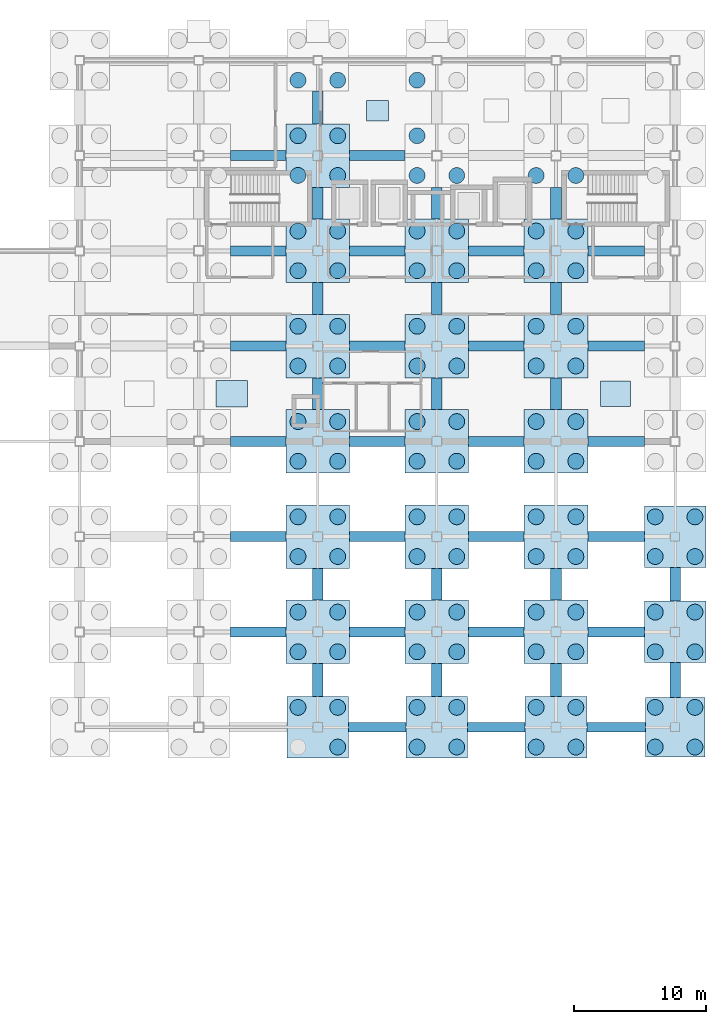
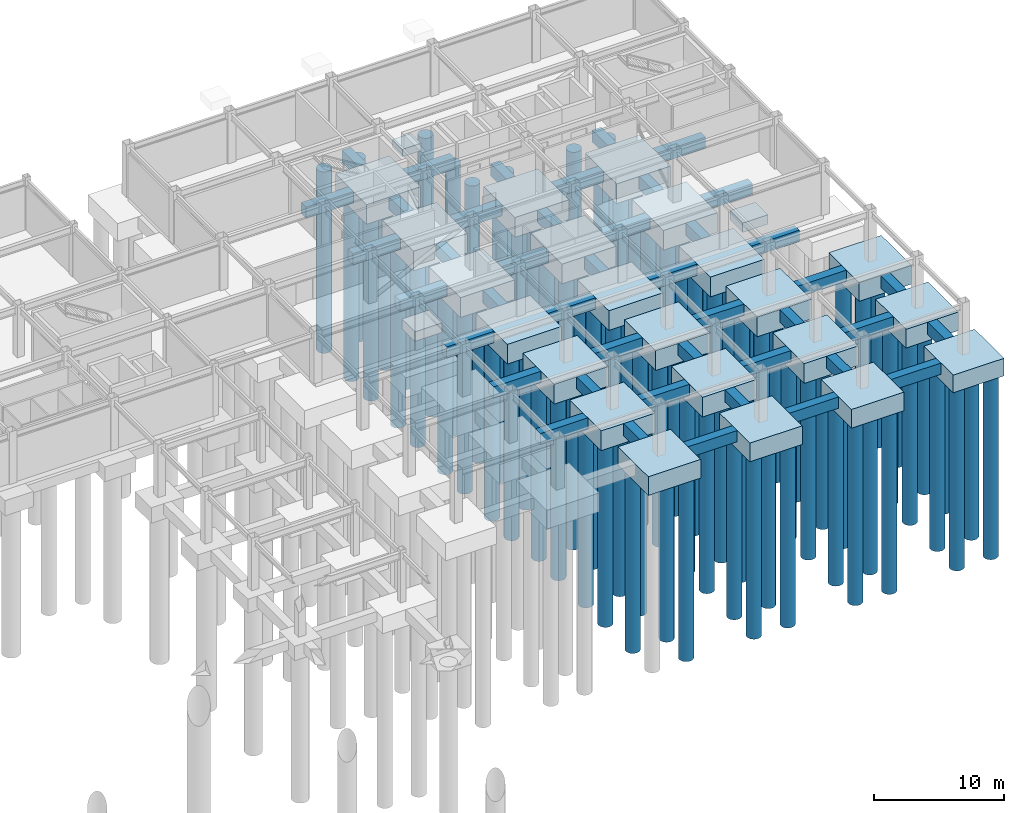
# One storey, part 9 of 28: 95 piles, 68 footings.
"""IFC4 building model written with IfcOpenShell, lengths in metres."""

from ifc_helpers import new_model, si_unit, direction, frame, origin, origin_2d, place, context, subcontext, project, spatial, rectangle, circle, extrude, material, material_profile, profile_set, type_object, element, save


model = new_model("IFC4")

# Units and contexts
model_context = context("Model", 3, precision=1e-05, world=origin(), true_north=direction((0.0, 1.0)))
body_context = subcontext(model_context, "Body", "Model", "MODEL_VIEW")
ifc_project = project(units=[si_unit("LENGTHUNIT", "METRE"), si_unit("AREAUNIT", "SQUARE_METRE"), si_unit("VOLUMEUNIT", "CUBIC_METRE"), si_unit("PLANEANGLEUNIT", "RADIAN"), si_unit("MASSUNIT", "GRAM", prefix="KILO")], contexts=[model_context])

# Site, building, storey
site_placement = place(None, origin())
site = spatial("IfcSite", under=ifc_project, at=site_placement, CompositionType="ELEMENT")
building_placement = place(site_placement, origin())
building = spatial("IfcBuilding", under=site, at=building_placement, Name="Kazanami Central Library", CompositionType="ELEMENT")
storey_placement = place(building_placement, frame((0.0, 0.0, -4.89990234375)))
storey = spatial("IfcBuildingStorey", under=building, at=storey_placement, Name="B01", CompositionType="ELEMENT", Elevation=-4.89990234375)

# Footings
ifc_material_1 = material(Name="Concrete Fc36 (36 MPa)", Category="concrete")
ifc_material_profile_1 = material_profile(ifc_material_1, rectangle(XDim=0.75, YDim=1.050048828125, at=origin_2d()), Name="RC-750x1050")
ifc_profile_set_1 = profile_set([ifc_material_profile_1], Name="Concrete Fc36 (36 MPa)")
footing_type_1 = type_object("IfcFootingType", Name="FTG-GB-05", PredefinedType="FOOTING_BEAM", material=ifc_profile_set_1)
for number, where, z_axis, x_axis, name in (
    (1, (137.324951171875, 43.199951171875, -0.525146484375), (1.0, 0.0, 0.0), (0.0, 1.0, 0.0), "Ground Tie Beam GB-05 G/16-17"),
    (2, (146.324951171875, 43.199951171875, -0.525146484375), (1.0, 0.0, 0.0), (0.0, 1.0, 0.0), "Ground Tie Beam GB-05 G/17-18"),
):
    element("IfcFooting", number, at=place(storey_placement, frame(where, z_axis=z_axis, x_axis=x_axis)), inside=storey, type_object=footing_type_1, Name=name, PredefinedType="FOOTING_BEAM", context=body_context, shape_type="SweptSolid", body=[
        extrude(rectangle(XDim=0.75, YDim=1.050048828125, at=origin_2d()), origin(), (0.0, 0.0, 1.0), 4.35009765625),
    ])
footing_1_placement = place(storey_placement, frame((155.324951171875, 43.199951171875, -0.525146484375), z_axis=(1.0, 0.0, 0.0), x_axis=(0.0, 1.0, 0.0)))
element("IfcFooting", 3, at=footing_1_placement, inside=storey, type_object=footing_type_1, Name="Ground Tie Beam GB-05 G/18-19", PredefinedType="FOOTING_BEAM", context=body_context, shape_type="SweptSolid", body=[
    extrude(rectangle(XDim=0.75, YDim=1.050048828125, at=origin_2d()), origin(), (0.0, 0.0, 1.0), 4.425048828125),
])
for number, where, z_axis, x_axis, name in (
    (4, (128.39990234375, 50.39990234375, -0.525146484375), (1.0, 0.0, 0.0), (0.0, 1.0, 0.0), "Ground Tie Beam GB-05 H/15-16"),
    (5, (137.39990234375, 50.39990234375, -0.525146484375), (1.0, 0.0, 0.0), (0.0, 1.0, 0.0), "Ground Tie Beam GB-05 H/16-17"),
    (6, (146.39990234375, 50.39990234375, -0.525146484375), (1.0, 0.0, 0.0), (0.0, 1.0, 0.0), "Ground Tie Beam GB-05 H/17-18"),
):
    element("IfcFooting", number, at=place(storey_placement, frame(where, z_axis=z_axis, x_axis=x_axis)), inside=storey, type_object=footing_type_1, Name=name, PredefinedType="FOOTING_BEAM", context=body_context, shape_type="SweptSolid", body=[
        extrude(rectangle(XDim=0.75, YDim=1.050048828125, at=origin_2d()), origin(), (0.0, 0.0, 1.0), 4.2001953125),
    ])
footing_2_placement = place(storey_placement, frame((155.39990234375, 50.39990234375, -0.525146484375), z_axis=(1.0, 0.0, 0.0), x_axis=(0.0, 1.0, 0.0)))
element("IfcFooting", 7, at=footing_2_placement, inside=storey, type_object=footing_type_1, Name="Ground Tie Beam GB-05 H/18-19", PredefinedType="FOOTING_BEAM", context=body_context, shape_type="SweptSolid", body=[
    extrude(rectangle(XDim=0.75, YDim=1.050048828125, at=origin_2d()), origin(), (0.0, 0.0, 1.0), 4.275146484375),
])
for number, where, z_axis, x_axis, name in (
    (8, (128.39990234375, 57.60009765625, -0.525146484375), (1.0, 0.0, 0.0), (0.0, 1.0, 0.0), "Ground Tie Beam GB-05 J/15-16"),
    (9, (137.39990234375, 57.60009765625, -0.525146484375), (1.0, 0.0, 0.0), (0.0, 1.0, 0.0), "Ground Tie Beam GB-05 J/16-17"),
    (10, (146.39990234375, 57.60009765625, -0.525146484375), (1.0, 0.0, 0.0), (0.0, 1.0, 0.0), "Ground Tie Beam GB-05 J/17-18"),
):
    element("IfcFooting", number, at=place(storey_placement, frame(where, z_axis=z_axis, x_axis=x_axis)), inside=storey, type_object=footing_type_1, Name=name, PredefinedType="FOOTING_BEAM", context=body_context, shape_type="SweptSolid", body=[
        extrude(rectangle(XDim=0.75, YDim=1.050048828125, at=origin_2d()), origin(), (0.0, 0.0, 1.0), 4.2001953125),
    ])
footing_3_placement = place(storey_placement, frame((155.39990234375, 57.60009765625, -0.525146484375), z_axis=(1.0, 0.0, 0.0), x_axis=(0.0, 1.0, 0.0)))
element("IfcFooting", 11, at=footing_3_placement, inside=storey, type_object=footing_type_1, Name="Ground Tie Beam GB-05 J/18-19", PredefinedType="FOOTING_BEAM", context=body_context, shape_type="SweptSolid", body=[
    extrude(rectangle(XDim=0.75, YDim=1.050048828125, at=origin_2d()), origin(), (0.0, 0.0, 1.0), 4.275146484375),
])
for number, where, z_axis, x_axis, name in (
    (12, (128.39990234375, 64.800048828125, -1.14501953125), (1.0, 0.0, 0.0), (0.0, 1.0, 0.0), "Ground Tie Beam GB-05 K/15-16"),
    (13, (137.39990234375, 64.800048828125, -1.14501953125), (1.0, 0.0, 0.0), (0.0, 1.0, 0.0), "Ground Tie Beam GB-05 K/16-17"),
    (14, (146.39990234375, 64.800048828125, -1.14501953125), (1.0, 0.0, 0.0), (0.0, 1.0, 0.0), "Ground Tie Beam GB-05 K/17-18"),
):
    element("IfcFooting", number, at=place(storey_placement, frame(where, z_axis=z_axis, x_axis=x_axis)), inside=storey, type_object=footing_type_1, Name=name, PredefinedType="FOOTING_BEAM", context=body_context, shape_type="SweptSolid", body=[
        extrude(rectangle(XDim=0.75, YDim=1.050048828125, at=origin_2d()), origin(), (0.0, 0.0, 1.0), 4.2001953125),
    ])
footing_4_placement = place(storey_placement, frame((155.39990234375, 64.800048828125, -1.14501953125), z_axis=(1.0, 0.0, 0.0), x_axis=(0.0, 1.0, 0.0)))
element("IfcFooting", 15, at=footing_4_placement, inside=storey, type_object=footing_type_1, Name="Ground Tie Beam GB-05 K/18-19", PredefinedType="FOOTING_BEAM", context=body_context, shape_type="SweptSolid", body=[
    extrude(rectangle(XDim=0.75, YDim=1.050048828125, at=origin_2d()), origin(), (0.0, 0.0, 1.0), 4.275146484375),
])
for number, where, z_axis, x_axis, name in (
    (16, (128.39990234375, 72.0, -1.14501953125), (1.0, 0.0, 0.0), (0.0, 1.0, 0.0), "Ground Tie Beam GB-05 L/15-16"),
    (17, (137.39990234375, 72.0, -1.14501953125), (1.0, 0.0, 0.0), (0.0, 1.0, 0.0), "Ground Tie Beam GB-05 L/16-17"),
    (18, (146.39990234375, 72.0, -1.14501953125), (1.0, 0.0, 0.0), (0.0, 1.0, 0.0), "Ground Tie Beam GB-05 L/17-18"),
):
    element("IfcFooting", number, at=place(storey_placement, frame(where, z_axis=z_axis, x_axis=x_axis)), inside=storey, type_object=footing_type_1, Name=name, PredefinedType="FOOTING_BEAM", context=body_context, shape_type="SweptSolid", body=[
        extrude(rectangle(XDim=0.75, YDim=1.050048828125, at=origin_2d()), origin(), (0.0, 0.0, 1.0), 4.2001953125),
    ])
footing_5_placement = place(storey_placement, frame((155.39990234375, 72.0, -1.14501953125), z_axis=(1.0, 0.0, 0.0), x_axis=(0.0, 1.0, 0.0)))
element("IfcFooting", 19, at=footing_5_placement, inside=storey, type_object=footing_type_1, Name="Ground Tie Beam GB-05 L/18-19", PredefinedType="FOOTING_BEAM", context=body_context, shape_type="SweptSolid", body=[
    extrude(rectangle(XDim=0.75, YDim=1.050048828125, at=origin_2d()), origin(), (0.0, 0.0, 1.0), 4.275146484375),
])
for number, where, z_axis, x_axis, name in (
    (20, (128.39990234375, 79.199951171875, -1.14501953125), (1.0, 0.0, 0.0), (0.0, 1.0, 0.0), "Ground Tie Beam GB-05 M/15-16"),
    (21, (137.39990234375, 79.199951171875, -1.14501953125), (1.0, 0.0, 0.0), (0.0, 1.0, 0.0), "Ground Tie Beam GB-05 M/16-17"),
    (22, (146.39990234375, 79.199951171875, -1.14501953125), (1.0, 0.0, 0.0), (0.0, 1.0, 0.0), "Ground Tie Beam GB-05 M/17-18"),
):
    element("IfcFooting", number, at=place(storey_placement, frame(where, z_axis=z_axis, x_axis=x_axis)), inside=storey, type_object=footing_type_1, Name=name, PredefinedType="FOOTING_BEAM", context=body_context, shape_type="SweptSolid", body=[
        extrude(rectangle(XDim=0.75, YDim=1.050048828125, at=origin_2d()), origin(), (0.0, 0.0, 1.0), 4.2001953125),
    ])
footing_6_placement = place(storey_placement, frame((155.39990234375, 79.199951171875, -1.14501953125), z_axis=(1.0, 0.0, 0.0), x_axis=(0.0, 1.0, 0.0)))
element("IfcFooting", 23, at=footing_6_placement, inside=storey, type_object=footing_type_1, Name="Ground Tie Beam GB-05 M/18-19", PredefinedType="FOOTING_BEAM", context=body_context, shape_type="SweptSolid", body=[
    extrude(rectangle(XDim=0.75, YDim=1.050048828125, at=origin_2d()), origin(), (0.0, 0.0, 1.0), 4.275146484375),
])
for number, where, z_axis, x_axis, name in (
    (24, (128.39990234375, 86.39990234375, -1.14501953125), (1.0, 0.0, 0.0), (0.0, 1.0, 0.0), "Ground Tie Beam GB-05 N/15-16"),
    (25, (137.39990234375, 86.39990234375, -1.14501953125), (1.0, 0.0, 0.0), (0.0, 1.0, 0.0), "Ground Tie Beam GB-05 N/16-17"),
):
    element("IfcFooting", number, at=place(storey_placement, frame(where, z_axis=z_axis, x_axis=x_axis)), inside=storey, type_object=footing_type_1, Name=name, PredefinedType="FOOTING_BEAM", context=body_context, shape_type="SweptSolid", body=[
        extrude(rectangle(XDim=0.75, YDim=1.050048828125, at=origin_2d()), origin(), (0.0, 0.0, 1.0), 4.2001953125),
    ])
ifc_material_profile_2 = material_profile(ifc_material_1, rectangle(XDim=0.800048828125, YDim=1.14990234375, at=origin_2d()), Name="RC-800x1150")
ifc_profile_set_2 = profile_set([ifc_material_profile_2], Name="Concrete Fc36 (36 MPa)")
footing_type_2 = type_object("IfcFootingType", Name="FTG-GB-06", PredefinedType="FOOTING_BEAM", material=ifc_profile_set_2)
footing_7_placement = place(storey_placement, frame((135.0, 45.52490234375, -0.5751953125), z_axis=(0.0, 1.0, 0.0), x_axis=(-1.0, 0.0, 0.0)))
element("IfcFooting", 26, at=footing_7_placement, inside=storey, type_object=footing_type_2, Name="Ground Tie Beam GB-06 16/G-H", PredefinedType="FOOTING_BEAM", context=body_context, shape_type="SweptSolid", body=[
    extrude(rectangle(XDim=0.800048828125, YDim=1.14990234375, at=origin_2d()), origin(), (0.0, 0.0, 1.0), 2.47509765625),
])
footing_8_placement = place(storey_placement, frame((135.0, 52.800048828125, -0.5751953125), z_axis=(0.0, 1.0, 0.0), x_axis=(-1.0, 0.0, 0.0)))
element("IfcFooting", 27, at=footing_8_placement, inside=storey, type_object=footing_type_2, Name="Ground Tie Beam GB-06 16/H-J", PredefinedType="FOOTING_BEAM", context=body_context, shape_type="SweptSolid", body=[
    extrude(rectangle(XDim=0.800048828125, YDim=1.14990234375, at=origin_2d()), origin(), (0.0, 0.0, 1.0), 2.39990234375),
])
for number, where, z_axis, x_axis, name in (
    (28, (135.0, 67.199951171875, -1.195068359375), (0.0, 1.0, 0.0), (-1.0, 0.0, 0.0), "Ground Tie Beam GB-06 16/K-L"),
    (29, (135.0, 74.39990234375, -1.195068359375), (0.0, 1.0, 0.0), (-1.0, 0.0, 0.0), "Ground Tie Beam GB-06 16/L-M"),
):
    element("IfcFooting", number, at=place(storey_placement, frame(where, z_axis=z_axis, x_axis=x_axis)), inside=storey, type_object=footing_type_2, Name=name, PredefinedType="FOOTING_BEAM", context=body_context, shape_type="SweptSolid", body=[
        extrude(rectangle(XDim=0.800048828125, YDim=1.14990234375, at=origin_2d()), origin(), (0.0, 0.0, 1.0), 2.400146484375),
    ])
footing_9_placement = place(storey_placement, frame((135.0, 81.60009765625, -1.195068359375), z_axis=(0.0, 1.0, 0.0), x_axis=(-1.0, 0.0, 0.0)))
element("IfcFooting", 30, at=footing_9_placement, inside=storey, type_object=footing_type_2, Name="Ground Tie Beam GB-06 16/M-N", PredefinedType="FOOTING_BEAM", context=body_context, shape_type="SweptSolid", body=[
    extrude(rectangle(XDim=0.800048828125, YDim=1.14990234375, at=origin_2d()), origin(), (0.0, 0.0, 1.0), 2.39990234375),
])
footing_10_placement = place(storey_placement, frame((135.0, 88.800048828125, -1.195068359375), z_axis=(0.0, 1.0, 0.0), x_axis=(-1.0, 0.0, 0.0)))
element("IfcFooting", 31, at=footing_10_placement, inside=storey, type_object=footing_type_2, Name="Ground Tie Beam GB-06 16/N-O", PredefinedType="FOOTING_BEAM", context=body_context, shape_type="SweptSolid", body=[
    extrude(rectangle(XDim=0.800048828125, YDim=1.14990234375, at=origin_2d()), origin(), (0.0, 0.0, 1.0), 2.474853515625),
])
footing_11_placement = place(storey_placement, frame((144.0, 45.52490234375, -0.5751953125), z_axis=(0.0, 1.0, 0.0), x_axis=(-1.0, 0.0, 0.0)))
element("IfcFooting", 32, at=footing_11_placement, inside=storey, type_object=footing_type_2, Name="Ground Tie Beam GB-06 17/G-H", PredefinedType="FOOTING_BEAM", context=body_context, shape_type="SweptSolid", body=[
    extrude(rectangle(XDim=0.800048828125, YDim=1.14990234375, at=origin_2d()), origin(), (0.0, 0.0, 1.0), 2.47509765625),
])
footing_12_placement = place(storey_placement, frame((144.0, 52.800048828125, -0.5751953125), z_axis=(0.0, 1.0, 0.0), x_axis=(-1.0, 0.0, 0.0)))
element("IfcFooting", 33, at=footing_12_placement, inside=storey, type_object=footing_type_2, Name="Ground Tie Beam GB-06 17/H-J", PredefinedType="FOOTING_BEAM", context=body_context, shape_type="SweptSolid", body=[
    extrude(rectangle(XDim=0.800048828125, YDim=1.14990234375, at=origin_2d()), origin(), (0.0, 0.0, 1.0), 2.39990234375),
])
for number, where, z_axis, x_axis, name in (
    (34, (144.0, 67.199951171875, -1.195068359375), (0.0, 1.0, 0.0), (-1.0, 0.0, 0.0), "Ground Tie Beam GB-06 17/K-L"),
    (35, (144.0, 74.39990234375, -1.195068359375), (0.0, 1.0, 0.0), (-1.0, 0.0, 0.0), "Ground Tie Beam GB-06 17/L-M"),
):
    element("IfcFooting", number, at=place(storey_placement, frame(where, z_axis=z_axis, x_axis=x_axis)), inside=storey, type_object=footing_type_2, Name=name, PredefinedType="FOOTING_BEAM", context=body_context, shape_type="SweptSolid", body=[
        extrude(rectangle(XDim=0.800048828125, YDim=1.14990234375, at=origin_2d()), origin(), (0.0, 0.0, 1.0), 2.400146484375),
    ])
footing_13_placement = place(storey_placement, frame((144.0, 81.60009765625, -1.195068359375), z_axis=(0.0, 1.0, 0.0), x_axis=(-1.0, 0.0, 0.0)))
element("IfcFooting", 36, at=footing_13_placement, inside=storey, type_object=footing_type_2, Name="Ground Tie Beam GB-06 17/M-N", PredefinedType="FOOTING_BEAM", context=body_context, shape_type="SweptSolid", body=[
    extrude(rectangle(XDim=0.800048828125, YDim=1.14990234375, at=origin_2d()), origin(), (0.0, 0.0, 1.0), 2.39990234375),
])
footing_14_placement = place(storey_placement, frame((153.0, 45.52490234375, -0.5751953125), z_axis=(0.0, 1.0, 0.0), x_axis=(-1.0, 0.0, 0.0)))
element("IfcFooting", 37, at=footing_14_placement, inside=storey, type_object=footing_type_2, Name="Ground Tie Beam GB-06 18/G-H", PredefinedType="FOOTING_BEAM", context=body_context, shape_type="SweptSolid", body=[
    extrude(rectangle(XDim=0.800048828125, YDim=1.14990234375, at=origin_2d()), origin(), (0.0, 0.0, 1.0), 2.47509765625),
])
footing_15_placement = place(storey_placement, frame((153.0, 52.800048828125, -0.5751953125), z_axis=(0.0, 1.0, 0.0), x_axis=(-1.0, 0.0, 0.0)))
element("IfcFooting", 38, at=footing_15_placement, inside=storey, type_object=footing_type_2, Name="Ground Tie Beam GB-06 18/H-J", PredefinedType="FOOTING_BEAM", context=body_context, shape_type="SweptSolid", body=[
    extrude(rectangle(XDim=0.800048828125, YDim=1.14990234375, at=origin_2d()), origin(), (0.0, 0.0, 1.0), 2.39990234375),
])
for number, where, z_axis, x_axis, name in (
    (39, (153.0, 67.199951171875, -1.195068359375), (0.0, 1.0, 0.0), (-1.0, 0.0, 0.0), "Ground Tie Beam GB-06 18/K-L"),
    (40, (153.0, 74.39990234375, -1.195068359375), (0.0, 1.0, 0.0), (-1.0, 0.0, 0.0), "Ground Tie Beam GB-06 18/L-M"),
):
    element("IfcFooting", number, at=place(storey_placement, frame(where, z_axis=z_axis, x_axis=x_axis)), inside=storey, type_object=footing_type_2, Name=name, PredefinedType="FOOTING_BEAM", context=body_context, shape_type="SweptSolid", body=[
        extrude(rectangle(XDim=0.800048828125, YDim=1.14990234375, at=origin_2d()), origin(), (0.0, 0.0, 1.0), 2.400146484375),
    ])
footing_16_placement = place(storey_placement, frame((153.0, 81.60009765625, -1.195068359375), z_axis=(0.0, 1.0, 0.0), x_axis=(-1.0, 0.0, 0.0)))
element("IfcFooting", 41, at=footing_16_placement, inside=storey, type_object=footing_type_2, Name="Ground Tie Beam GB-06 18/M-N", PredefinedType="FOOTING_BEAM", context=body_context, shape_type="SweptSolid", body=[
    extrude(rectangle(XDim=0.800048828125, YDim=1.14990234375, at=origin_2d()), origin(), (0.0, 0.0, 1.0), 2.39990234375),
])
footing_17_placement = place(storey_placement, frame((162.0, 45.449951171875, -0.5751953125), z_axis=(0.0, 1.0, 0.0), x_axis=(-1.0, 0.0, 0.0)))
element("IfcFooting", 42, at=footing_17_placement, inside=storey, type_object=footing_type_2, Name="Ground Tie Beam GB-06 19/G-H", PredefinedType="FOOTING_BEAM", context=body_context, shape_type="SweptSolid", body=[
    extrude(rectangle(XDim=0.800048828125, YDim=1.14990234375, at=origin_2d()), origin(), (0.0, 0.0, 1.0), 2.625),
])
footing_18_placement = place(storey_placement, frame((162.0, 52.72509765625, -0.5751953125), z_axis=(0.0, 1.0, 0.0), x_axis=(-1.0, 0.0, 0.0)))
element("IfcFooting", 43, at=footing_18_placement, inside=storey, type_object=footing_type_2, Name="Ground Tie Beam GB-06 19/H-J", PredefinedType="FOOTING_BEAM", context=body_context, shape_type="SweptSolid", body=[
    extrude(rectangle(XDim=0.800048828125, YDim=1.14990234375, at=origin_2d()), origin(), (0.0, 0.0, 1.0), 2.5498046875),
])
footing_type_3 = type_object("IfcFootingType", Name="FTG-PC-01", PredefinedType="PILE_CAP", material=ifc_material_1)
for number, where, z_axis, x_axis, name in (
    (44, (135.0, 50.39990234375, -1.85009765625), (0.0, 0.0, 1.0), (1.0, 0.0, 0.0), "Pile Cap PC-01 at 16/H"),
    (45, (135.0, 57.60009765625, -1.85009765625), (0.0, 0.0, 1.0), (1.0, 0.0, 0.0), "Pile Cap PC-01 at 16/J"),
    (46, (135.0, 64.800048828125, -2.47021484375), (0.0, 0.0, 1.0), (1.0, 0.0, 0.0), "Pile Cap PC-01 at 16/K"),
    (47, (135.0, 72.0, -2.47021484375), (0.0, 0.0, 1.0), (1.0, 0.0, 0.0), "Pile Cap PC-01 at 16/L"),
    (48, (135.0, 79.199951171875, -2.47021484375), (0.0, 0.0, 1.0), (1.0, 0.0, 0.0), "Pile Cap PC-01 at 16/M"),
    (49, (135.0, 86.39990234375, -2.47021484375), (0.0, 0.0, 1.0), (1.0, 0.0, 0.0), "Pile Cap PC-01 at 16/N"),
    (50, (144.0, 50.39990234375, -1.85009765625), (0.0, 0.0, 1.0), (1.0, 0.0, 0.0), "Pile Cap PC-01 at 17/H"),
    (51, (144.0, 57.60009765625, -1.85009765625), (0.0, 0.0, 1.0), (1.0, 0.0, 0.0), "Pile Cap PC-01 at 17/J"),
    (52, (144.0, 64.800048828125, -2.47021484375), (0.0, 0.0, 1.0), (1.0, 0.0, 0.0), "Pile Cap PC-01 at 17/K"),
    (53, (144.0, 72.0, -2.47021484375), (0.0, 0.0, 1.0), (1.0, 0.0, 0.0), "Pile Cap PC-01 at 17/L"),
    (54, (144.0, 79.199951171875, -2.47021484375), (0.0, 0.0, 1.0), (1.0, 0.0, 0.0), "Pile Cap PC-01 at 17/M"),
    (55, (153.0, 50.39990234375, -1.85009765625), (0.0, 0.0, 1.0), (1.0, 0.0, 0.0), "Pile Cap PC-01 at 18/H"),
    (56, (153.0, 57.60009765625, -1.85009765625), (0.0, 0.0, 1.0), (1.0, 0.0, 0.0), "Pile Cap PC-01 at 18/J"),
    (57, (153.0, 64.800048828125, -2.47021484375), (0.0, 0.0, 1.0), (1.0, 0.0, 0.0), "Pile Cap PC-01 at 18/K"),
    (58, (153.0, 72.0, -2.47021484375), (0.0, 0.0, 1.0), (1.0, 0.0, 0.0), "Pile Cap PC-01 at 18/L"),
    (59, (153.0, 79.199951171875, -2.47021484375), (0.0, 0.0, 1.0), (1.0, 0.0, 0.0), "Pile Cap PC-01 at 18/M"),
):
    element("IfcFooting", number, at=place(storey_placement, frame(where, z_axis=z_axis, x_axis=x_axis)), inside=storey, type_object=footing_type_3, Name=name, PredefinedType="PILE_CAP", context=body_context, shape_type="SweptSolid", body=[
        extrude(rectangle(XDim=4.800048828125, YDim=4.800048828125, at=origin_2d()), origin(), (0.0, 0.0, 1.0), 1.85009765625),
    ])
footing_type_4 = type_object("IfcFootingType", Name="FTG-PC-02", PredefinedType="PILE_CAP", material=ifc_material_1)
for number, where, z_axis, x_axis, name in (
    (60, (135.0, 43.199951171875, -1.75), (0.0, 0.0, 1.0), (1.0, 0.0, 0.0), "Pile Cap PC-02 at 16/G"),
    (61, (144.0, 43.199951171875, -1.75), (0.0, 0.0, 1.0), (1.0, 0.0, 0.0), "Pile Cap PC-02 at 17/G"),
    (62, (153.0, 43.199951171875, -1.75), (0.0, 0.0, 1.0), (1.0, 0.0, 0.0), "Pile Cap PC-02 at 18/G"),
    (63, (162.0, 50.39990234375, -1.75), (0.0, 0.0, 1.0), (1.0, 0.0, 0.0), "Pile Cap PC-02 at 19/H"),
    (64, (162.0, 57.60009765625, -1.75), (0.0, 0.0, 1.0), (1.0, 0.0, 0.0), "Pile Cap PC-02 at 19/J"),
):
    element("IfcFooting", number, at=place(storey_placement, frame(where, z_axis=z_axis, x_axis=x_axis)), inside=storey, type_object=footing_type_4, Name=name, PredefinedType="PILE_CAP", context=body_context, shape_type="SweptSolid", body=[
        extrude(rectangle(XDim=4.64990234375, YDim=4.64990234375, at=origin_2d()), origin(), (0.0, 0.0, 1.0), 1.75),
    ])
footing_type_5 = type_object("IfcFootingType", Name="FTG-PC-03", PredefinedType="PILE_CAP", material=ifc_material_1)
footing_19_placement = place(storey_placement, frame((162.0, 43.199951171875, -1.650146484375), z_axis=(0.0, 0.0, 1.0), x_axis=(1.0, 0.0, 0.0)))
element("IfcFooting", 65, at=footing_19_placement, inside=storey, type_object=footing_type_5, Name="Pile Cap PC-03 at 19/G", PredefinedType="PILE_CAP", context=body_context, shape_type="SweptSolid", body=[
    extrude(rectangle(XDim=4.5, YDim=4.5, at=origin_2d()), origin(), (0.0, 0.0, 1.0), 1.64990234375),
])
ifc_material_2 = material(Name="Concrete Fc30 (30 MPa)", Category="concrete")
footing_type_6 = type_object("IfcFootingType", Name="FTG-PF-08", PredefinedType="PAD_FOOTING", material=ifc_material_2)
footing_20_placement = place(storey_placement, frame((128.5, 68.39990234375, -1.52001953125), z_axis=(0.0, 0.0, 1.0), x_axis=(1.0, 0.0, 0.0)))
element("IfcFooting", 66, at=footing_20_placement, inside=storey, type_object=footing_type_6, Name="Equipment Pad Footing PF-08", PredefinedType="PAD_FOOTING", context=body_context, shape_type="SweptSolid", body=[
    extrude(rectangle(XDim=2.39990234375, YDim=2.0, at=origin_2d()), origin(), (0.0, 0.0, 1.0), 0.89990234375),
])
footing_type_7 = type_object("IfcFootingType", Name="FTG-PF-09", PredefinedType="PAD_FOOTING", material=ifc_material_2)
footing_21_placement = place(storey_placement, frame((139.5, 89.800048828125, -1.3203125), z_axis=(0.0, 0.0, 1.0), x_axis=(1.0, 0.0, 0.0)))
element("IfcFooting", 67, at=footing_21_placement, inside=storey, type_object=footing_type_7, Name="Equipment Pad Footing PF-09", PredefinedType="PAD_FOOTING", context=body_context, shape_type="SweptSolid", body=[
    extrude(rectangle(XDim=1.64990234375, YDim=1.550048828125, at=origin_2d()), origin(), (0.0, 0.0, 1.0), 0.699951171875),
])
footing_type_8 = type_object("IfcFootingType", Name="FTG-PF-12", PredefinedType="PAD_FOOTING", material=ifc_material_2)
footing_22_placement = place(storey_placement, frame((157.5, 68.39990234375, -1.5), z_axis=(0.0, 0.0, 1.0), x_axis=(1.0, 0.0, 0.0)))
element("IfcFooting", 68, at=footing_22_placement, inside=storey, type_object=footing_type_8, Name="Equipment Pad Footing PF-12", PredefinedType="PAD_FOOTING", context=body_context, shape_type="SweptSolid", body=[
    extrude(rectangle(XDim=2.25, YDim=1.949951171875, at=origin_2d()), origin(), (0.0, 0.0, 1.0), 0.8798828125),
])

# Piles
ifc_material_profile_3 = material_profile(ifc_material_1, circle(Radius=0.60009765625, at=origin_2d()), Name="BORED-D1200")
ifc_profile_set_3 = profile_set([ifc_material_profile_3], Name="Concrete Fc36 (36 MPa)")
pile_type = type_object("IfcPileType", Name="PIL-PL-12", PredefinedType="BORED", material=ifc_profile_set_3)
for number, where, z_axis, x_axis, name in (
    (69, (136.5, 41.699951171875, -1.75), (0.0, 0.0, -1.0), (1.0, 0.0, 0.0), "Bored Pile PL-12 16/G-2"),
    (70, (133.5, 44.699951171875, -1.75), (0.0, 0.0, -1.0), (1.0, 0.0, 0.0), "Bored Pile PL-12 16/G-3"),
    (71, (136.5, 44.699951171875, -1.75), (0.0, 0.0, -1.0), (1.0, 0.0, 0.0), "Bored Pile PL-12 16/G-4"),
    (72, (133.5, 48.89990234375, -1.85009765625), (0.0, 0.0, -1.0), (1.0, 0.0, 0.0), "Bored Pile PL-12 16/H-1"),
    (73, (136.5, 48.89990234375, -1.85009765625), (0.0, 0.0, -1.0), (1.0, 0.0, 0.0), "Bored Pile PL-12 16/H-2"),
    (74, (133.5, 51.89990234375, -1.85009765625), (0.0, 0.0, -1.0), (1.0, 0.0, 0.0), "Bored Pile PL-12 16/H-3"),
    (75, (136.5, 51.89990234375, -1.85009765625), (0.0, 0.0, -1.0), (1.0, 0.0, 0.0), "Bored Pile PL-12 16/H-4"),
    (76, (133.5, 56.10009765625, -1.85009765625), (0.0, 0.0, -1.0), (1.0, 0.0, 0.0), "Bored Pile PL-12 16/J-1"),
    (77, (136.5, 56.10009765625, -1.85009765625), (0.0, 0.0, -1.0), (1.0, 0.0, 0.0), "Bored Pile PL-12 16/J-2"),
    (78, (133.5, 59.10009765625, -1.85009765625), (0.0, 0.0, -1.0), (1.0, 0.0, 0.0), "Bored Pile PL-12 16/J-3"),
    (79, (136.5, 59.10009765625, -1.85009765625), (0.0, 0.0, -1.0), (1.0, 0.0, 0.0), "Bored Pile PL-12 16/J-4"),
    (80, (133.5, 63.300048828125, -2.47021484375), (0.0, 0.0, -1.0), (1.0, 0.0, 0.0), "Bored Pile PL-12 16/K-1"),
    (81, (136.5, 63.300048828125, -2.47021484375), (0.0, 0.0, -1.0), (1.0, 0.0, 0.0), "Bored Pile PL-12 16/K-2"),
    (82, (133.5, 66.300048828125, -2.47021484375), (0.0, 0.0, -1.0), (1.0, 0.0, 0.0), "Bored Pile PL-12 16/K-3"),
    (83, (136.5, 66.300048828125, -2.47021484375), (0.0, 0.0, -1.0), (1.0, 0.0, 0.0), "Bored Pile PL-12 16/K-4"),
    (84, (133.5, 70.5, -2.47021484375), (0.0, 0.0, -1.0), (1.0, 0.0, 0.0), "Bored Pile PL-12 16/L-1"),
    (85, (136.5, 70.5, -2.47021484375), (0.0, 0.0, -1.0), (1.0, 0.0, 0.0), "Bored Pile PL-12 16/L-2"),
    (86, (133.5, 73.5, -2.47021484375), (0.0, 0.0, -1.0), (1.0, 0.0, 0.0), "Bored Pile PL-12 16/L-3"),
    (87, (136.5, 73.5, -2.47021484375), (0.0, 0.0, -1.0), (1.0, 0.0, 0.0), "Bored Pile PL-12 16/L-4"),
    (88, (133.5, 77.699951171875, -2.47021484375), (0.0, 0.0, -1.0), (1.0, 0.0, 0.0), "Bored Pile PL-12 16/M-1"),
    (89, (136.5, 77.699951171875, -2.47021484375), (0.0, 0.0, -1.0), (1.0, 0.0, 0.0), "Bored Pile PL-12 16/M-2"),
    (90, (133.5, 80.699951171875, -2.47021484375), (0.0, 0.0, -1.0), (1.0, 0.0, 0.0), "Bored Pile PL-12 16/M-3"),
    (91, (136.5, 80.699951171875, -2.47021484375), (0.0, 0.0, -1.0), (1.0, 0.0, 0.0), "Bored Pile PL-12 16/M-4"),
    (92, (133.5, 84.89990234375, -2.47021484375), (0.0, 0.0, -1.0), (1.0, 0.0, 0.0), "Bored Pile PL-12 16/N-1"),
    (93, (136.5, 84.89990234375, -2.47021484375), (0.0, 0.0, -1.0), (1.0, 0.0, 0.0), "Bored Pile PL-12 16/N-2"),
    (94, (133.5, 87.89990234375, -2.47021484375), (0.0, 0.0, -1.0), (1.0, 0.0, 0.0), "Bored Pile PL-12 16/N-3"),
    (95, (136.5, 87.89990234375, -2.47021484375), (0.0, 0.0, -1.0), (1.0, 0.0, 0.0), "Bored Pile PL-12 16/N-4"),
    (96, (133.5, 92.10009765625, -2.3701171875), (0.0, 0.0, -1.0), (1.0, 0.0, 0.0), "Bored Pile PL-12 16/O-1"),
    (97, (136.5, 92.10009765625, -2.3701171875), (0.0, 0.0, -1.0), (1.0, 0.0, 0.0), "Bored Pile PL-12 16/O-2"),
    (98, (142.5, 41.699951171875, -1.75), (0.0, 0.0, -1.0), (1.0, 0.0, 0.0), "Bored Pile PL-12 17/G-1"),
    (99, (145.5, 41.699951171875, -1.75), (0.0, 0.0, -1.0), (1.0, 0.0, 0.0), "Bored Pile PL-12 17/G-2"),
    (100, (142.5, 44.699951171875, -1.75), (0.0, 0.0, -1.0), (1.0, 0.0, 0.0), "Bored Pile PL-12 17/G-3"),
    (101, (145.5, 44.699951171875, -1.75), (0.0, 0.0, -1.0), (1.0, 0.0, 0.0), "Bored Pile PL-12 17/G-4"),
    (102, (142.5, 48.89990234375, -1.85009765625), (0.0, 0.0, -1.0), (1.0, 0.0, 0.0), "Bored Pile PL-12 17/H-1"),
    (103, (145.5, 48.89990234375, -1.85009765625), (0.0, 0.0, -1.0), (1.0, 0.0, 0.0), "Bored Pile PL-12 17/H-2"),
    (104, (142.5, 51.89990234375, -1.85009765625), (0.0, 0.0, -1.0), (1.0, 0.0, 0.0), "Bored Pile PL-12 17/H-3"),
    (105, (145.5, 51.89990234375, -1.85009765625), (0.0, 0.0, -1.0), (1.0, 0.0, 0.0), "Bored Pile PL-12 17/H-4"),
    (106, (142.5, 56.10009765625, -1.85009765625), (0.0, 0.0, -1.0), (1.0, 0.0, 0.0), "Bored Pile PL-12 17/J-1"),
    (107, (145.5, 56.10009765625, -1.85009765625), (0.0, 0.0, -1.0), (1.0, 0.0, 0.0), "Bored Pile PL-12 17/J-2"),
    (108, (142.5, 59.10009765625, -1.85009765625), (0.0, 0.0, -1.0), (1.0, 0.0, 0.0), "Bored Pile PL-12 17/J-3"),
    (109, (145.5, 59.10009765625, -1.85009765625), (0.0, 0.0, -1.0), (1.0, 0.0, 0.0), "Bored Pile PL-12 17/J-4"),
    (110, (142.5, 63.300048828125, -2.47021484375), (0.0, 0.0, -1.0), (1.0, 0.0, 0.0), "Bored Pile PL-12 17/K-1"),
    (111, (145.5, 63.300048828125, -2.47021484375), (0.0, 0.0, -1.0), (1.0, 0.0, 0.0), "Bored Pile PL-12 17/K-2"),
    (112, (142.5, 66.300048828125, -2.47021484375), (0.0, 0.0, -1.0), (1.0, 0.0, 0.0), "Bored Pile PL-12 17/K-3"),
    (113, (145.5, 66.300048828125, -2.47021484375), (0.0, 0.0, -1.0), (1.0, 0.0, 0.0), "Bored Pile PL-12 17/K-4"),
    (114, (142.5, 70.5, -2.47021484375), (0.0, 0.0, -1.0), (1.0, 0.0, 0.0), "Bored Pile PL-12 17/L-1"),
    (115, (145.5, 70.5, -2.47021484375), (0.0, 0.0, -1.0), (1.0, 0.0, 0.0), "Bored Pile PL-12 17/L-2"),
    (116, (142.5, 73.5, -2.47021484375), (0.0, 0.0, -1.0), (1.0, 0.0, 0.0), "Bored Pile PL-12 17/L-3"),
    (117, (145.5, 73.5, -2.47021484375), (0.0, 0.0, -1.0), (1.0, 0.0, 0.0), "Bored Pile PL-12 17/L-4"),
    (118, (142.5, 77.699951171875, -2.47021484375), (0.0, 0.0, -1.0), (1.0, 0.0, 0.0), "Bored Pile PL-12 17/M-1"),
    (119, (145.5, 77.699951171875, -2.47021484375), (0.0, 0.0, -1.0), (1.0, 0.0, 0.0), "Bored Pile PL-12 17/M-2"),
    (120, (142.5, 80.699951171875, -2.47021484375), (0.0, 0.0, -1.0), (1.0, 0.0, 0.0), "Bored Pile PL-12 17/M-3"),
    (121, (145.5, 80.699951171875, -2.47021484375), (0.0, 0.0, -1.0), (1.0, 0.0, 0.0), "Bored Pile PL-12 17/M-4"),
    (122, (142.5, 84.89990234375, -2.47021484375), (0.0, 0.0, -1.0), (1.0, 0.0, 0.0), "Bored Pile PL-12 17/N-1"),
    (123, (145.5, 84.89990234375, -2.47021484375), (0.0, 0.0, -1.0), (1.0, 0.0, 0.0), "Bored Pile PL-12 17/N-2"),
    (124, (142.5, 87.89990234375, -2.47021484375), (0.0, 0.0, -1.0), (1.0, 0.0, 0.0), "Bored Pile PL-12 17/N-3"),
    (125, (142.5, 92.10009765625, -2.3701171875), (0.0, 0.0, -1.0), (1.0, 0.0, 0.0), "Bored Pile PL-12 17/O-1"),
    (126, (151.5, 41.699951171875, -1.75), (0.0, 0.0, -1.0), (1.0, 0.0, 0.0), "Bored Pile PL-12 18/G-1"),
    (127, (154.5, 41.699951171875, -1.75), (0.0, 0.0, -1.0), (1.0, 0.0, 0.0), "Bored Pile PL-12 18/G-2"),
    (128, (151.5, 44.699951171875, -1.75), (0.0, 0.0, -1.0), (1.0, 0.0, 0.0), "Bored Pile PL-12 18/G-3"),
    (129, (154.5, 44.699951171875, -1.75), (0.0, 0.0, -1.0), (1.0, 0.0, 0.0), "Bored Pile PL-12 18/G-4"),
    (130, (151.5, 48.89990234375, -1.85009765625), (0.0, 0.0, -1.0), (1.0, 0.0, 0.0), "Bored Pile PL-12 18/H-1"),
    (131, (154.5, 48.89990234375, -1.85009765625), (0.0, 0.0, -1.0), (1.0, 0.0, 0.0), "Bored Pile PL-12 18/H-2"),
    (132, (151.5, 51.89990234375, -1.85009765625), (0.0, 0.0, -1.0), (1.0, 0.0, 0.0), "Bored Pile PL-12 18/H-3"),
    (133, (154.5, 51.89990234375, -1.85009765625), (0.0, 0.0, -1.0), (1.0, 0.0, 0.0), "Bored Pile PL-12 18/H-4"),
    (134, (151.5, 56.10009765625, -1.85009765625), (0.0, 0.0, -1.0), (1.0, 0.0, 0.0), "Bored Pile PL-12 18/J-1"),
    (135, (154.5, 56.10009765625, -1.85009765625), (0.0, 0.0, -1.0), (1.0, 0.0, 0.0), "Bored Pile PL-12 18/J-2"),
    (136, (151.5, 59.10009765625, -1.85009765625), (0.0, 0.0, -1.0), (1.0, 0.0, 0.0), "Bored Pile PL-12 18/J-3"),
    (137, (154.5, 59.10009765625, -1.85009765625), (0.0, 0.0, -1.0), (1.0, 0.0, 0.0), "Bored Pile PL-12 18/J-4"),
    (138, (151.5, 63.300048828125, -2.47021484375), (0.0, 0.0, -1.0), (1.0, 0.0, 0.0), "Bored Pile PL-12 18/K-1"),
    (139, (154.5, 63.300048828125, -2.47021484375), (0.0, 0.0, -1.0), (1.0, 0.0, 0.0), "Bored Pile PL-12 18/K-2"),
    (140, (151.5, 66.300048828125, -2.47021484375), (0.0, 0.0, -1.0), (1.0, 0.0, 0.0), "Bored Pile PL-12 18/K-3"),
    (141, (154.5, 66.300048828125, -2.47021484375), (0.0, 0.0, -1.0), (1.0, 0.0, 0.0), "Bored Pile PL-12 18/K-4"),
    (142, (151.5, 70.5, -2.47021484375), (0.0, 0.0, -1.0), (1.0, 0.0, 0.0), "Bored Pile PL-12 18/L-1"),
    (143, (154.5, 70.5, -2.47021484375), (0.0, 0.0, -1.0), (1.0, 0.0, 0.0), "Bored Pile PL-12 18/L-2"),
    (144, (151.5, 73.5, -2.47021484375), (0.0, 0.0, -1.0), (1.0, 0.0, 0.0), "Bored Pile PL-12 18/L-3"),
    (145, (154.5, 73.5, -2.47021484375), (0.0, 0.0, -1.0), (1.0, 0.0, 0.0), "Bored Pile PL-12 18/L-4"),
    (146, (151.5, 77.699951171875, -2.47021484375), (0.0, 0.0, -1.0), (1.0, 0.0, 0.0), "Bored Pile PL-12 18/M-1"),
    (147, (154.5, 77.699951171875, -2.47021484375), (0.0, 0.0, -1.0), (1.0, 0.0, 0.0), "Bored Pile PL-12 18/M-2"),
    (148, (151.5, 80.699951171875, -2.47021484375), (0.0, 0.0, -1.0), (1.0, 0.0, 0.0), "Bored Pile PL-12 18/M-3"),
    (149, (154.5, 80.699951171875, -2.47021484375), (0.0, 0.0, -1.0), (1.0, 0.0, 0.0), "Bored Pile PL-12 18/M-4"),
    (150, (151.5, 84.89990234375, -2.47021484375), (0.0, 0.0, -1.0), (1.0, 0.0, 0.0), "Bored Pile PL-12 18/N-1"),
    (151, (154.5, 84.89990234375, -2.47021484375), (0.0, 0.0, -1.0), (1.0, 0.0, 0.0), "Bored Pile PL-12 18/N-2"),
    (152, (160.5, 41.699951171875, -1.650146484375), (0.0, 0.0, -1.0), (1.0, 0.0, 0.0), "Bored Pile PL-12 19/G-1"),
    (153, (163.5, 41.699951171875, -1.650146484375), (0.0, 0.0, -1.0), (1.0, 0.0, 0.0), "Bored Pile PL-12 19/G-2"),
    (154, (160.5, 44.699951171875, -1.650146484375), (0.0, 0.0, -1.0), (1.0, 0.0, 0.0), "Bored Pile PL-12 19/G-3"),
    (155, (163.5, 44.699951171875, -1.650146484375), (0.0, 0.0, -1.0), (1.0, 0.0, 0.0), "Bored Pile PL-12 19/G-4"),
    (156, (160.5, 48.89990234375, -1.75), (0.0, 0.0, -1.0), (1.0, 0.0, 0.0), "Bored Pile PL-12 19/H-1"),
    (157, (163.5, 48.89990234375, -1.75), (0.0, 0.0, -1.0), (1.0, 0.0, 0.0), "Bored Pile PL-12 19/H-2"),
    (158, (160.5, 51.89990234375, -1.75), (0.0, 0.0, -1.0), (1.0, 0.0, 0.0), "Bored Pile PL-12 19/H-3"),
    (159, (163.5, 51.89990234375, -1.75), (0.0, 0.0, -1.0), (1.0, 0.0, 0.0), "Bored Pile PL-12 19/H-4"),
    (160, (160.5, 56.10009765625, -1.75), (0.0, 0.0, -1.0), (1.0, 0.0, 0.0), "Bored Pile PL-12 19/J-1"),
    (161, (163.5, 56.10009765625, -1.75), (0.0, 0.0, -1.0), (1.0, 0.0, 0.0), "Bored Pile PL-12 19/J-2"),
    (162, (160.5, 59.10009765625, -1.75), (0.0, 0.0, -1.0), (1.0, 0.0, 0.0), "Bored Pile PL-12 19/J-3"),
    (163, (163.5, 59.10009765625, -1.75), (0.0, 0.0, -1.0), (1.0, 0.0, 0.0), "Bored Pile PL-12 19/J-4"),
):
    element("IfcPile", number, at=place(storey_placement, frame(where, z_axis=z_axis, x_axis=x_axis)), inside=storey, type_object=pile_type, Name=name, PredefinedType="BORED", context=body_context, shape_type="SweptSolid", body=[
        extrude(circle(Radius=0.60009765625, at=origin_2d()), origin(), (0.0, 0.0, 1.0), 17.0),
    ])

save(model, "model.ifc")
